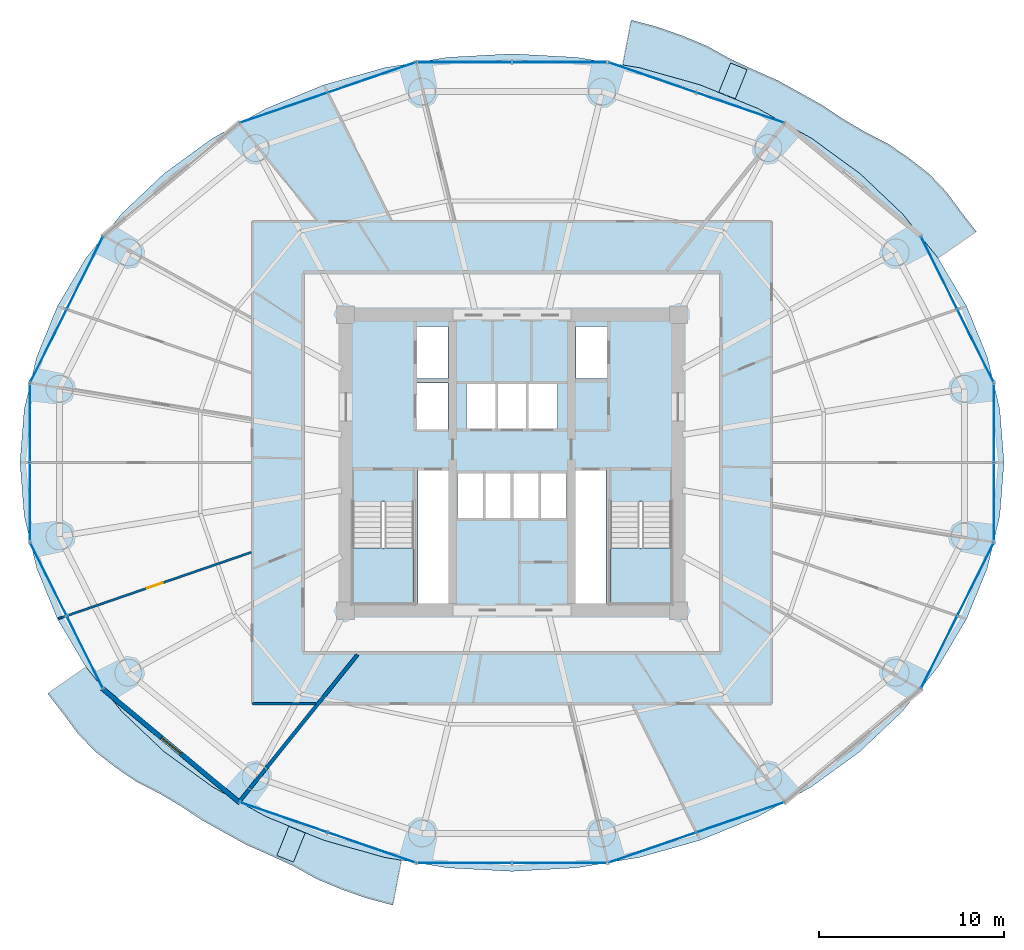
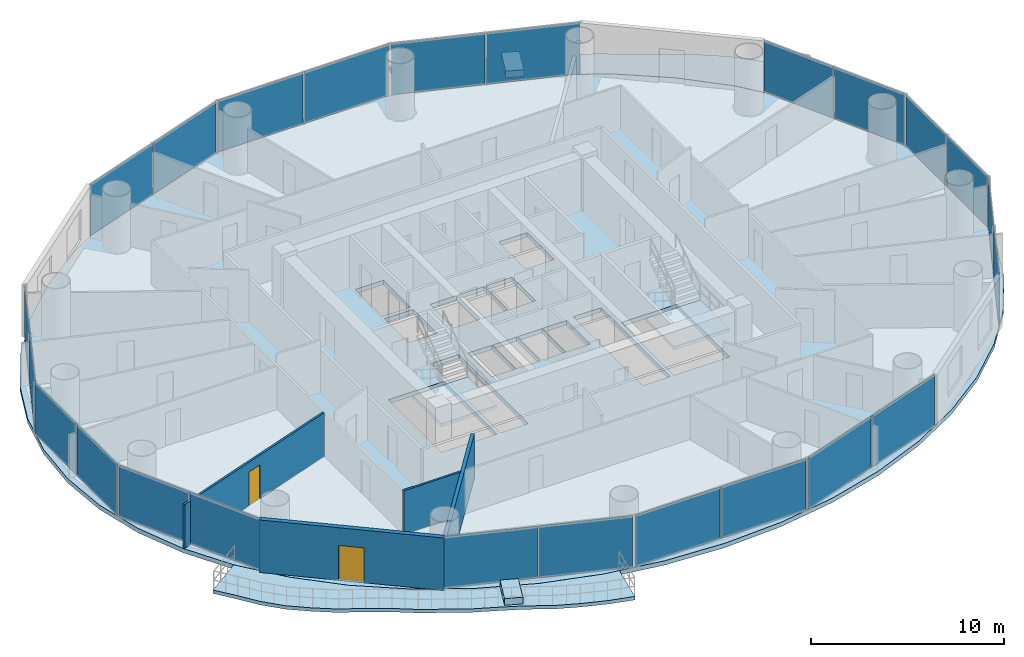
# One storey, part 21 of 29: 24 plates, 7 slabs, 4 walls, 2 doors, 2 openings, 14 elements without a shape of their own.
"""IFC4 building model written with IfcOpenShell, lengths in metres."""

from ifc_helpers import new_model, si_unit, direction, frame, frame_2d, origin, origin_2d, place, context, subcontext, project, spatial, polyline, rectangle, outline, extrude, source, transform, mapped, material, layer, layer_set, type_object, element, fill, aggregate, save


model = new_model("IFC4")

# Units and contexts
model_context = context("Model", 3, precision=1e-05, world=origin(), true_north=direction((-0.2419218956, 0.970295726276)))
body_context = subcontext(model_context, "Body", "Model", "MODEL_VIEW")
ifc_project = project(units=[si_unit("LENGTHUNIT", "METRE"), si_unit("AREAUNIT", "SQUARE_METRE"), si_unit("VOLUMEUNIT", "CUBIC_METRE"), si_unit("PLANEANGLEUNIT", "RADIAN"), si_unit("MASSUNIT", "GRAM", prefix="KILO")], contexts=[model_context])

# Site, building, storey
site_placement = place(None, origin())
site = spatial("IfcSite", under=ifc_project, at=site_placement, CompositionType="ELEMENT")
building_placement = place(site_placement, origin())
building = spatial("IfcBuilding", under=site, at=building_placement, Name="Cobrevalo Terracotta Tower", CompositionType="ELEMENT")
storey_placement = place(building_placement, frame((0.0, 0.0, 119.39990234375)))
storey = spatial("IfcBuildingStorey", under=building, at=storey_placement, Name="L31", CompositionType="ELEMENT", Elevation=119.39990234375)

# Stair, slab
ifc_material_1 = material(Name="Concrete C50", Category="concrete")
stair_type = type_object("IfcStairType", Name="Core protected escape dogleg stair 1600", PredefinedType="HALF_TURN_STAIR", material=ifc_material_1)
stair_1_placement = place(storey_placement, origin())
stair_1 = element("IfcStair", 1, at=stair_1_placement, inside=storey, type_object=stair_type, Name="L31 Protected exit stair ST-1", PredefinedType="HALF_TURN_STAIR")
ifc_layer_1 = layer(ifc_material_1, 0.199951171875)
ifc_layer_set_1 = layer_set([ifc_layer_1], Name="Concrete C50")
slab_type_1 = type_object("IfcSlabType", Name="Reinforced Concrete Stair Landing 200", PredefinedType="LANDING", material=ifc_layer_set_1)
slab_1_placement = place(storey_placement, frame((0.0, 0.0, 1.60009765625)))
slab_1 = element("IfcSlab", 2, at=slab_1_placement, type_object=slab_type_1, Name="ST-1 landing 1", PredefinedType="LANDING", context=body_context, shape_type="SweptSolid", body=[
    extrude(outline(polyline([(29.375, 22.179931640625), (29.375, 19.175048828125), (32.695068359375, 19.175048828125), (32.695068359375, 22.179931640625), (29.375, 22.179931640625)])), origin(), (0.0, 0.0, 1.0), 0.199951171875),
])
aggregate(stair_1, [slab_1])

stair_2_placement = place(storey_placement, origin())
stair_2 = element("IfcStair", 3, at=stair_2_placement, inside=storey, type_object=stair_type, Name="L31 Protected exit stair ST-2", PredefinedType="HALF_TURN_STAIR")
slab_2_placement = place(storey_placement, frame((0.0, 0.0, 1.60009765625)))
slab_2 = element("IfcSlab", 4, at=slab_2_placement, type_object=slab_type_1, Name="ST-2 landing 1", PredefinedType="LANDING", context=body_context, shape_type="SweptSolid", body=[
    extrude(outline(polyline([(43.304931640625, 22.179931640625), (43.304931640625, 19.175048828125), (46.625, 19.175048828125), (46.625, 22.179931640625), (43.304931640625, 22.179931640625)])), origin(), (0.0, 0.0, 1.0), 0.199951171875),
])
aggregate(stair_2, [slab_2])

# Slabs
ifc_material_2 = material(Name="Concrete C45", Category="concrete")
ifc_layer_2 = layer(ifc_material_2, 0.219970703125)
ifc_layer_set_2 = layer_set([ifc_layer_2], Name="Concrete C45")
slab_type_2 = type_object("IfcSlabType", Name="Spiralling cantilevered balcony lobe slab 220 mm", PredefinedType="FLOOR", material=ifc_layer_set_2)
slab_3_placement = place(storey_placement, frame((0.0, 0.0, -0.219970703125)))
element("IfcSlab", 5, at=slab_3_placement, inside=storey, type_object=slab_type_2, Name="L31 spiralling arc balcony slab lobe 1", PredefinedType="FLOOR", context=body_context, shape_type="SweptSolid", body=[
    extrude(outline(polyline([(63.112060546875, 39.28173828125), (62.2861328125, 40.3447265625), (61.484375, 41.428955078125), (60.5498046875, 42.41015625), (59.465087890625, 43.2568359375), (58.339599609375, 44.03076171875), (57.097412109375, 44.667236328125), (55.920166015625, 45.36279296875), (54.784423828125, 46.11865234375), (53.575439453125, 46.7919921875), (52.36572265625, 47.4609375), (51.0859375, 48.025634765625), (49.808349609375, 48.6162109375), (48.556640625, 49.315185546875), (47.223388671875, 49.8720703125), (45.857421875, 50.3525390625), (44.450927734375, 50.728271484375), (43.984130859375, 48.2978515625), (44.885009765625, 48.14892578125), (48.18017578125, 47.219482421875), (51.301025390625, 45.94091796875), (54.1943359375, 44.334716796875), (56.810546875, 42.428466796875), (59.104736328125, 40.2548828125), (61.0380859375, 37.85107421875), (61.0419921875, 37.84423828125), (63.112060546875, 39.28173828125)])), origin(), (0.0, 0.0, 1.0), 0.219970703125),
])
slab_4_placement = place(storey_placement, frame((0.0, 0.0, -0.219970703125)))
element("IfcSlab", 6, at=slab_4_placement, inside=storey, type_object=slab_type_2, Name="L31 spiralling arc balcony slab lobe 2", PredefinedType="FLOOR", context=body_context, shape_type="SweptSolid", body=[
    extrude(outline(polyline([(12.887939453125, 14.318359375), (13.7138671875, 13.255126953125), (14.515625, 12.171142578125), (15.4501953125, 11.189697265625), (16.534912109375, 10.343017578125), (17.660400390625, 9.5693359375), (18.902587890625, 8.932861328125), (20.079833984375, 8.2373046875), (21.215576171875, 7.4814453125), (22.424560546875, 6.80810546875), (23.63427734375, 6.13916015625), (24.9140625, 5.574462890625), (26.191650390625, 4.98388671875), (27.443359375, 4.284912109375), (28.776611328125, 3.72802734375), (30.142578125, 3.24755859375), (31.549072265625, 2.87158203125), (32.015869140625, 5.30224609375), (31.114990234375, 5.451171875), (27.81982421875, 6.38037109375), (24.698974609375, 7.6591796875), (21.8056640625, 9.265380859375), (19.189453125, 11.171630859375), (16.895263671875, 13.34521484375), (14.9619140625, 15.7490234375), (14.9580078125, 15.755859375), (12.887939453125, 14.318359375)])), origin(), (0.0, 0.0, 1.0), 0.219970703125),
])
ifc_material_3 = material(Name="Precast concrete C45", Category="concrete")
ifc_layer_3 = layer(ifc_material_3, 0.419921875)
ifc_layer_set_3 = layer_set([ifc_layer_3], Name="Precast concrete C45")
slab_type_3 = type_object("IfcSlabType", Name="Structural tree planter trough base 420 mm", PredefinedType="USERDEFINED", material=ifc_layer_set_3)
slab_5_placement = place(storey_placement, origin())
element("IfcSlab", 7, at=slab_5_placement, inside=storey, type_object=slab_type_3, Name="L31 structural tree planter trough 1", ObjectType="PLANTER", PredefinedType="USERDEFINED", context=body_context, shape_type="SweptSolid", body=[
    extrude(outline(polyline([(50.071533203125, 46.46484375), (50.70849609375, 48.041015625), (49.818603515625, 48.40087890625), (49.181396484375, 46.82470703125), (50.071533203125, 46.46484375)])), origin(), (0.0, 0.0, 1.0), 0.420166015625),
])
slab_6_placement = place(storey_placement, origin())
element("IfcSlab", 8, at=slab_6_placement, inside=storey, type_object=slab_type_3, Name="L31 structural tree planter trough 2", ObjectType="PLANTER", PredefinedType="USERDEFINED", context=body_context, shape_type="SweptSolid", body=[
    extrude(outline(polyline([(25.928466796875, 7.135009765625), (25.29150390625, 5.55908203125), (26.181396484375, 5.19921875), (26.818603515625, 6.775390625), (25.928466796875, 7.135009765625)])), origin(), (0.0, 0.0, 1.0), 0.420166015625),
])
ifc_layer_4 = layer(ifc_material_1, 0.27490234375)
ifc_layer_set_4 = layer_set([ifc_layer_4], Name="Concrete C50")
slab_type_4 = type_object("IfcSlabType", Name="Zone Z2 elliptical floor plate 275 mm", PredefinedType="FLOOR", material=ifc_layer_set_4)
slab_7_placement = place(storey_placement, frame((0.0, 0.0, -0.27490234375)))
element("IfcSlab", 9, at=slab_7_placement, inside=storey, type_object=slab_type_4, Name="L31 indoor elliptical floor slab", PredefinedType="FLOOR", context=body_context, shape_type="SweptSolid", body=[
    extrude(outline(polyline([(64.372314453125, 23.915283203125), (63.693603515625, 21.080078125), (62.5751953125, 18.3427734375), (61.036376953125, 15.75), (59.103271484375, 13.346435546875), (56.80908203125, 11.1728515625), (54.193115234375, 9.266845703125), (51.300048828125, 7.660888671875), (48.179443359375, 6.38232421875), (44.884521484375, 5.453125), (41.471923828125, 4.88916015625), (38.0, 4.699951171875), (34.528076171875, 4.88916015625), (31.115478515625, 5.453125), (27.820556640625, 6.38232421875), (24.699951171875, 7.660888671875), (21.806884765625, 9.266845703125), (19.19091796875, 11.1728515625), (16.896728515625, 13.346435546875), (14.963623046875, 15.75), (13.4248046875, 18.3427734375), (12.306396484375, 21.080078125), (11.627685546875, 23.915283203125), (11.39990234375, 26.800048828125), (11.627685546875, 29.6845703125), (12.306396484375, 32.52001953125), (13.4248046875, 35.25732421875), (14.963623046875, 37.85009765625), (16.896728515625, 40.253662109375), (19.19091796875, 42.427001953125), (21.806884765625, 44.3330078125), (24.699951171875, 45.939208984375), (27.820556640625, 47.2177734375), (31.115478515625, 48.14697265625), (34.528076171875, 48.7109375), (38.0, 48.89990234375), (41.471923828125, 48.7109375), (44.884521484375, 48.14697265625), (48.179443359375, 47.2177734375), (51.300048828125, 45.939208984375), (54.193115234375, 44.3330078125), (56.80908203125, 42.427001953125), (59.103271484375, 40.253662109375), (61.036376953125, 37.85009765625), (62.5751953125, 35.25732421875), (63.693603515625, 32.52001953125), (64.372314453125, 29.6845703125), (64.60009765625, 26.800048828125), (64.372314453125, 23.915283203125)]), holes=[polyline([(32.695068359375, 19.175048828125), (32.695068359375, 24.659912109375), (29.375, 24.659912109375), (29.375, 19.175048828125), (32.695068359375, 19.175048828125)]), polyline([(34.574951171875, 19.175048828125), (34.574951171875, 26.360107421875), (32.919921875, 26.360107421875), (32.919921875, 19.175048828125), (34.574951171875, 19.175048828125)]), polyline([(36.47998046875, 23.800048828125), (36.47998046875, 26.25), (35.050048828125, 26.25), (35.050048828125, 23.800048828125), (36.47998046875, 23.800048828125)]), polyline([(37.9599609375, 23.800048828125), (37.9599609375, 26.25), (36.530029296875, 26.25), (36.530029296875, 23.800048828125), (37.9599609375, 23.800048828125)]), polyline([(37.1201171875, 28.60009765625), (37.1201171875, 31.050048828125), (35.550048828125, 31.050048828125), (35.550048828125, 28.60009765625), (37.1201171875, 28.60009765625)]), polyline([(34.550048828125, 28.60009765625), (34.550048828125, 31.10009765625), (32.85009765625, 31.10009765625), (32.85009765625, 28.60009765625), (34.550048828125, 28.60009765625)]), polyline([(34.550048828125, 31.35009765625), (34.550048828125, 34.14990234375), (32.85009765625, 34.14990234375), (32.85009765625, 31.35009765625), (34.550048828125, 31.35009765625)]), polyline([(46.625, 19.175048828125), (46.625, 24.659912109375), (43.304931640625, 24.659912109375), (43.304931640625, 19.175048828125), (46.625, 19.175048828125)]), polyline([(43.080078125, 19.175048828125), (43.080078125, 26.360107421875), (41.425048828125, 26.360107421875), (41.425048828125, 19.175048828125), (43.080078125, 19.175048828125)]), polyline([(39.469970703125, 23.800048828125), (39.469970703125, 26.25), (38.0400390625, 26.25), (38.0400390625, 23.800048828125), (39.469970703125, 23.800048828125)]), polyline([(40.949951171875, 23.800048828125), (40.949951171875, 26.25), (39.52001953125, 26.25), (39.52001953125, 23.800048828125), (40.949951171875, 23.800048828125)]), polyline([(38.780029296875, 28.60009765625), (38.780029296875, 31.050048828125), (37.219970703125, 31.050048828125), (37.219970703125, 28.60009765625), (38.780029296875, 28.60009765625)]), polyline([(40.449951171875, 28.60009765625), (40.449951171875, 31.050048828125), (38.8798828125, 31.050048828125), (38.8798828125, 28.60009765625), (40.449951171875, 28.60009765625)]), polyline([(43.14990234375, 31.35009765625), (43.14990234375, 34.14990234375), (41.449951171875, 34.14990234375), (41.449951171875, 31.35009765625), (43.14990234375, 31.35009765625)])]), origin(), (0.0, 0.0, 1.0), 0.27490234375),
])

# Curtain wall, plates
ifc_material_4 = material(Name="Anodized aluminium", Category="aluminium")
curtain_wall_type = type_object("IfcCurtainWallType", Name="Lower-tower unitised acoustic low-E curtain wall CW-U1", PredefinedType="NOTDEFINED", material=ifc_material_4)
curtain_wall_1_placement = place(storey_placement, origin())
curtain_wall_1 = element("IfcCurtainWall", 10, at=curtain_wall_1_placement, inside=storey, type_object=curtain_wall_type, Name="L31 curtain wall CW-L31-S03", PredefinedType="NOTDEFINED")
ifc_material_5 = material(Name="Solar-control low-E double glazing", Category="glass")
ifc_layer_5 = layer(ifc_material_5, 0.028076171875)
ifc_layer_set_5 = layer_set([ifc_layer_5], Name="Solar-control low-E double glazing")
plate_type = type_object("IfcPlateType", Name="Tower solar-control low-E vision glass panel 28 mm", PredefinedType="CURTAIN_PANEL", material=ifc_layer_set_5)
shared_shape_1 = source(origin(), body_context, "Body", "SweptSolid", [
    extrude(rectangle(XDim=4.944580078125, YDim=0.035888671875, at=origin_2d()), origin(), (0.0, 0.0, 1.0), 3.2451171875),
])
plate_1_placement = place(storey_placement, frame((50.34814453125, 45.98095703125, 0.0400390625), z_axis=(0.0, 0.0, 1.0), x_axis=(-0.945596395206, 0.325342062104, 0.0)))
plate_1 = element("IfcPlate", 11, at=plate_1_placement, type_object=plate_type, Name="CW-L31-S03 glazing panel B01", PredefinedType="CURTAIN_PANEL", context=body_context, shape_type="MappedRepresentation", body=[
    mapped(shared_shape_1, transform((0.0, 0.0, 0.0), scale=1.0)),
])
plate_2_placement = place(storey_placement, frame((45.596923828125, 47.615478515625, 0.0400390625), z_axis=(0.0, 0.0, 1.0), x_axis=(-0.945596395206, 0.325342062104, 0.0)))
plate_2 = element("IfcPlate", 12, at=plate_2_placement, type_object=plate_type, Name="CW-L31-S03 glazing panel B02", PredefinedType="CURTAIN_PANEL", context=body_context, shape_type="MappedRepresentation", body=[
    mapped(shared_shape_1, transform((0.0, 0.0, 0.0), scale=1.0)),
])
aggregate(curtain_wall_1, [plate_1, plate_2])

curtain_wall_2_placement = place(storey_placement, origin())
curtain_wall_2 = element("IfcCurtainWall", 13, at=curtain_wall_2_placement, inside=storey, type_object=curtain_wall_type, Name="L31 curtain wall CW-L31-S05", PredefinedType="NOTDEFINED")
plate_3_placement = place(storey_placement, frame((30.403076171875, 47.615478515625, 0.0400390625), z_axis=(0.0, 0.0, 1.0), x_axis=(-0.945596395206, -0.325342062104, 0.0)))
plate_3 = element("IfcPlate", 14, at=plate_3_placement, type_object=plate_type, Name="CW-L31-S05 glazing panel B01", PredefinedType="CURTAIN_PANEL", context=body_context, shape_type="MappedRepresentation", body=[
    mapped(shared_shape_1, transform((0.0, 0.0, 0.0), scale=1.0)),
])
plate_4_placement = place(storey_placement, frame((25.65185546875, 45.98095703125, 0.0400390625), z_axis=(0.0, 0.0, 1.0), x_axis=(-0.945596395206, -0.325342062104, 0.0)))
plate_4 = element("IfcPlate", 15, at=plate_4_placement, type_object=plate_type, Name="CW-L31-S05 glazing panel B02", PredefinedType="CURTAIN_PANEL", context=body_context, shape_type="MappedRepresentation", body=[
    mapped(shared_shape_1, transform((0.0, 0.0, 0.0), scale=1.0)),
])
aggregate(curtain_wall_2, [plate_3, plate_4])

curtain_wall_3_placement = place(storey_placement, origin())
curtain_wall_3 = element("IfcCurtainWall", 16, at=curtain_wall_3_placement, inside=storey, type_object=curtain_wall_type, Name="L31 curtain wall CW-L31-S11", PredefinedType="NOTDEFINED")
plate_5_placement = place(storey_placement, frame((25.65185546875, 7.619140625, 0.0400390625), z_axis=(0.0, 0.0, 1.0), x_axis=(0.945596395206, -0.325342062104, 0.0)))
plate_5 = element("IfcPlate", 17, at=plate_5_placement, type_object=plate_type, Name="CW-L31-S11 glazing panel B01", PredefinedType="CURTAIN_PANEL", context=body_context, shape_type="MappedRepresentation", body=[
    mapped(shared_shape_1, transform((0.0, 0.0, 0.0), scale=1.0)),
])
plate_6_placement = place(storey_placement, frame((30.403076171875, 5.984375, 0.0400390625), z_axis=(0.0, 0.0, 1.0), x_axis=(0.945596395206, -0.325342062104, 0.0)))
plate_6 = element("IfcPlate", 18, at=plate_6_placement, type_object=plate_type, Name="CW-L31-S11 glazing panel B02", PredefinedType="CURTAIN_PANEL", context=body_context, shape_type="MappedRepresentation", body=[
    mapped(shared_shape_1, transform((0.0, 0.0, 0.0), scale=1.0)),
])
aggregate(curtain_wall_3, [plate_5, plate_6])

curtain_wall_4_placement = place(storey_placement, origin())
curtain_wall_4 = element("IfcCurtainWall", 19, at=curtain_wall_4_placement, inside=storey, type_object=curtain_wall_type, Name="L31 curtain wall CW-L31-S13", PredefinedType="NOTDEFINED")
plate_7_placement = place(storey_placement, frame((45.596923828125, 5.984375, 0.0400390625), z_axis=(0.0, 0.0, 1.0), x_axis=(0.945596395206, 0.325342062104, 0.0)))
plate_7 = element("IfcPlate", 20, at=plate_7_placement, type_object=plate_type, Name="CW-L31-S13 glazing panel B01", PredefinedType="CURTAIN_PANEL", context=body_context, shape_type="MappedRepresentation", body=[
    mapped(shared_shape_1, transform((0.0, 0.0, 0.0), scale=1.0)),
])
plate_8_placement = place(storey_placement, frame((50.34814453125, 7.619140625, 0.0400390625), z_axis=(0.0, 0.0, 1.0), x_axis=(0.945596395206, 0.325342062104, 0.0)))
plate_8 = element("IfcPlate", 21, at=plate_8_placement, type_object=plate_type, Name="CW-L31-S13 glazing panel B02", PredefinedType="CURTAIN_PANEL", context=body_context, shape_type="MappedRepresentation", body=[
    mapped(shared_shape_1, transform((0.0, 0.0, 0.0), scale=1.0)),
])
aggregate(curtain_wall_4, [plate_7, plate_8])

curtain_wall_5_placement = place(storey_placement, origin())
curtain_wall_5 = element("IfcCurtainWall", 22, at=curtain_wall_5_placement, inside=storey, type_object=curtain_wall_type, Name="L31 curtain wall CW-L31-S04", PredefinedType="NOTDEFINED")
shared_shape_2 = source(origin(), body_context, "Body", "SweptSolid", [
    extrude(rectangle(XDim=5.0634765625, YDim=0.035888671875, at=origin_2d()), origin(), (0.0, 0.0, 1.0), 3.2451171875),
])
plate_9_placement = place(storey_placement, frame((40.57177734375, 48.446044921875, 0.0400390625), z_axis=(0.0, 0.0, 1.0), x_axis=(-1.0, 0.0, 0.0)))
plate_9 = element("IfcPlate", 23, at=plate_9_placement, type_object=plate_type, Name="CW-L31-S04 glazing panel B01", PredefinedType="CURTAIN_PANEL", context=body_context, shape_type="MappedRepresentation", body=[
    mapped(shared_shape_2, transform((0.0, 0.0, 0.0), scale=1.0)),
])
plate_10_placement = place(storey_placement, frame((35.42822265625, 48.446044921875, 0.0400390625), z_axis=(0.0, 0.0, 1.0), x_axis=(-1.0, 0.0, 0.0)))
plate_10 = element("IfcPlate", 24, at=plate_10_placement, type_object=plate_type, Name="CW-L31-S04 glazing panel B02", PredefinedType="CURTAIN_PANEL", context=body_context, shape_type="MappedRepresentation", body=[
    mapped(shared_shape_2, transform((0.0, 0.0, 0.0), scale=1.0)),
])
aggregate(curtain_wall_5, [plate_9, plate_10])

curtain_wall_6_placement = place(storey_placement, origin())
curtain_wall_6 = element("IfcCurtainWall", 25, at=curtain_wall_6_placement, inside=storey, type_object=curtain_wall_type, Name="L31 curtain wall CW-L31-S12", PredefinedType="NOTDEFINED")
plate_11_placement = place(storey_placement, frame((35.42822265625, 5.154052734375, 0.0400390625), z_axis=(0.0, 0.0, 1.0), x_axis=(1.0, 0.0, 0.0)))
plate_11 = element("IfcPlate", 26, at=plate_11_placement, type_object=plate_type, Name="CW-L31-S12 glazing panel B01", PredefinedType="CURTAIN_PANEL", context=body_context, shape_type="MappedRepresentation", body=[
    mapped(shared_shape_2, transform((0.0, 0.0, 0.0), scale=1.0)),
])
plate_12_placement = place(storey_placement, frame((40.57177734375, 5.154052734375, 0.0400390625), z_axis=(0.0, 0.0, 1.0), x_axis=(1.0, 0.0, 0.0)))
plate_12 = element("IfcPlate", 27, at=plate_12_placement, type_object=plate_type, Name="CW-L31-S12 glazing panel B02", PredefinedType="CURTAIN_PANEL", context=body_context, shape_type="MappedRepresentation", body=[
    mapped(shared_shape_2, transform((0.0, 0.0, 0.0), scale=1.0)),
])
aggregate(curtain_wall_6, [plate_11, plate_12])

curtain_wall_7_placement = place(storey_placement, origin())
curtain_wall_7 = element("IfcCurtainWall", 28, at=curtain_wall_7_placement, inside=storey, type_object=curtain_wall_type, Name="L31 curtain wall CW-L31-S01", PredefinedType="NOTDEFINED")
shared_shape_3 = source(origin(), body_context, "Body", "SweptSolid", [
    extrude(rectangle(XDim=4.3251953125, YDim=0.035888671875, at=origin_2d()), origin(), (0.0, 0.0, 1.0), 3.2451171875),
])
plate_13_placement = place(storey_placement, frame((63.05859375, 33.112548828125, 0.0400390625), z_axis=(0.0, 0.0, 1.0), x_axis=(-0.446261852127, 0.894902430065, 0.0)))
plate_13 = element("IfcPlate", 29, at=plate_13_placement, type_object=plate_type, Name="CW-L31-S01 glazing panel B01", PredefinedType="CURTAIN_PANEL", context=body_context, shape_type="MappedRepresentation", body=[
    mapped(shared_shape_3, transform((0.0, 0.0, 0.0), scale=1.0)),
])
plate_14_placement = place(storey_placement, frame((61.093017578125, 37.0546875, 0.0400390625), z_axis=(0.0, 0.0, 1.0), x_axis=(-0.446261852127, 0.894902430065, 0.0)))
plate_14 = element("IfcPlate", 30, at=plate_14_placement, type_object=plate_type, Name="CW-L31-S01 glazing panel B02", PredefinedType="CURTAIN_PANEL", context=body_context, shape_type="MappedRepresentation", body=[
    mapped(shared_shape_3, transform((0.0, 0.0, 0.0), scale=1.0)),
])
aggregate(curtain_wall_7, [plate_13, plate_14])

curtain_wall_8_placement = place(storey_placement, origin())
curtain_wall_8 = element("IfcCurtainWall", 31, at=curtain_wall_8_placement, inside=storey, type_object=curtain_wall_type, Name="L31 curtain wall CW-L31-S07", PredefinedType="NOTDEFINED")
plate_15_placement = place(storey_placement, frame((14.906982421875, 37.0546875, 0.0400390625), z_axis=(0.0, 0.0, 1.0), x_axis=(-0.446261852127, -0.894902430065, 0.0)))
plate_15 = element("IfcPlate", 32, at=plate_15_placement, type_object=plate_type, Name="CW-L31-S07 glazing panel B01", PredefinedType="CURTAIN_PANEL", context=body_context, shape_type="MappedRepresentation", body=[
    mapped(shared_shape_3, transform((0.0, 0.0, 0.0), scale=1.0)),
])
plate_16_placement = place(storey_placement, frame((12.94140625, 33.112548828125, 0.0400390625), z_axis=(0.0, 0.0, 1.0), x_axis=(-0.446261852127, -0.894902430065, 0.0)))
plate_16 = element("IfcPlate", 33, at=plate_16_placement, type_object=plate_type, Name="CW-L31-S07 glazing panel B02", PredefinedType="CURTAIN_PANEL", context=body_context, shape_type="MappedRepresentation", body=[
    mapped(shared_shape_3, transform((0.0, 0.0, 0.0), scale=1.0)),
])
aggregate(curtain_wall_8, [plate_15, plate_16])

curtain_wall_9_placement = place(storey_placement, origin())
curtain_wall_9 = element("IfcCurtainWall", 34, at=curtain_wall_9_placement, inside=storey, type_object=curtain_wall_type, Name="L31 curtain wall CW-L31-S09", PredefinedType="NOTDEFINED")
plate_17_placement = place(storey_placement, frame((12.94140625, 20.487548828125, 0.0400390625), z_axis=(0.0, 0.0, 1.0), x_axis=(0.446261852127, -0.894902430065, 0.0)))
plate_17 = element("IfcPlate", 35, at=plate_17_placement, type_object=plate_type, Name="CW-L31-S09 glazing panel B01", PredefinedType="CURTAIN_PANEL", context=body_context, shape_type="MappedRepresentation", body=[
    mapped(shared_shape_3, transform((0.0, 0.0, 0.0), scale=1.0)),
])
plate_18_placement = place(storey_placement, frame((14.906982421875, 16.54541015625, 0.0400390625), z_axis=(0.0, 0.0, 1.0), x_axis=(0.446261852127, -0.894902430065, 0.0)))
plate_18 = element("IfcPlate", 36, at=plate_18_placement, type_object=plate_type, Name="CW-L31-S09 glazing panel B02", PredefinedType="CURTAIN_PANEL", context=body_context, shape_type="MappedRepresentation", body=[
    mapped(shared_shape_3, transform((0.0, 0.0, 0.0), scale=1.0)),
])
aggregate(curtain_wall_9, [plate_17, plate_18])

curtain_wall_10_placement = place(storey_placement, origin())
curtain_wall_10 = element("IfcCurtainWall", 37, at=curtain_wall_10_placement, inside=storey, type_object=curtain_wall_type, Name="L31 curtain wall CW-L31-S15", PredefinedType="NOTDEFINED")
plate_19_placement = place(storey_placement, frame((61.093017578125, 16.54541015625, 0.0400390625), z_axis=(0.0, 0.0, 1.0), x_axis=(0.446261852127, 0.894902430065, 0.0)))
plate_19 = element("IfcPlate", 38, at=plate_19_placement, type_object=plate_type, Name="CW-L31-S15 glazing panel B01", PredefinedType="CURTAIN_PANEL", context=body_context, shape_type="MappedRepresentation", body=[
    mapped(shared_shape_3, transform((0.0, 0.0, 0.0), scale=1.0)),
])
plate_20_placement = place(storey_placement, frame((63.05859375, 20.487548828125, 0.0400390625), z_axis=(0.0, 0.0, 1.0), x_axis=(0.446261852127, 0.894902430065, 0.0)))
plate_20 = element("IfcPlate", 39, at=plate_20_placement, type_object=plate_type, Name="CW-L31-S15 glazing panel B02", PredefinedType="CURTAIN_PANEL", context=body_context, shape_type="MappedRepresentation", body=[
    mapped(shared_shape_3, transform((0.0, 0.0, 0.0), scale=1.0)),
])
aggregate(curtain_wall_10, [plate_19, plate_20])

curtain_wall_11_placement = place(storey_placement, origin())
curtain_wall_11 = element("IfcCurtainWall", 40, at=curtain_wall_11_placement, inside=storey, type_object=curtain_wall_type, Name="L31 curtain wall CW-L31-S08", PredefinedType="NOTDEFINED")
shared_shape_4 = source(origin(), body_context, "Body", "SweptSolid", [
    extrude(rectangle(XDim=4.185546875, YDim=0.035888671875, at=origin_2d()), origin(), (0.0, 0.0, 1.0), 3.2451171875),
])
plate_21_placement = place(storey_placement, frame((11.9404296875, 28.932861328125, 0.0400390625), z_axis=(0.0, 0.0, 1.0), x_axis=(0.0, -1.0, 0.0)))
plate_21 = element("IfcPlate", 41, at=plate_21_placement, type_object=plate_type, Name="CW-L31-S08 glazing panel B01", PredefinedType="CURTAIN_PANEL", context=body_context, shape_type="MappedRepresentation", body=[
    mapped(shared_shape_4, transform((0.0, 0.0, 0.0), scale=1.0)),
])
plate_22_placement = place(storey_placement, frame((11.9404296875, 24.667236328125, 0.0400390625), z_axis=(0.0, 0.0, 1.0), x_axis=(0.0, -1.0, 0.0)))
plate_22 = element("IfcPlate", 42, at=plate_22_placement, type_object=plate_type, Name="CW-L31-S08 glazing panel B02", PredefinedType="CURTAIN_PANEL", context=body_context, shape_type="MappedRepresentation", body=[
    mapped(shared_shape_4, transform((0.0, 0.0, 0.0), scale=1.0)),
])
aggregate(curtain_wall_11, [plate_21, plate_22])

curtain_wall_12_placement = place(storey_placement, origin())
curtain_wall_12 = element("IfcCurtainWall", 43, at=curtain_wall_12_placement, inside=storey, type_object=curtain_wall_type, Name="L31 curtain wall CW-L31-S16", PredefinedType="NOTDEFINED")
plate_23_placement = place(storey_placement, frame((64.0595703125, 24.667236328125, 0.0400390625), z_axis=(0.0, 0.0, 1.0), x_axis=(0.0, 1.0, 0.0)))
plate_23 = element("IfcPlate", 44, at=plate_23_placement, type_object=plate_type, Name="CW-L31-S16 glazing panel B01", PredefinedType="CURTAIN_PANEL", context=body_context, shape_type="MappedRepresentation", body=[
    mapped(shared_shape_4, transform((0.0, 0.0, 0.0), scale=1.0)),
])
plate_24_placement = place(storey_placement, frame((64.0595703125, 28.932861328125, 0.0400390625), z_axis=(0.0, 0.0, 1.0), x_axis=(0.0, 1.0, 0.0)))
plate_24 = element("IfcPlate", 45, at=plate_24_placement, type_object=plate_type, Name="CW-L31-S16 glazing panel B02", PredefinedType="CURTAIN_PANEL", context=body_context, shape_type="MappedRepresentation", body=[
    mapped(shared_shape_4, transform((0.0, 0.0, 0.0), scale=1.0)),
])
aggregate(curtain_wall_12, [plate_23, plate_24])

# Wall
ifc_material_6 = material(Name="Autoclaved aerated concrete block", Category="concrete")
ifc_layer_6 = layer(ifc_material_6, 0.199951171875)
ifc_layer_set_6 = layer_set([ifc_layer_6], Name="Autoclaved aerated concrete block")
wall_type_1 = type_object("IfcWallType", Name="Fire-rated stair, shaft & demising masonry wall 200 mm", PredefinedType="PARTITIONING", material=ifc_layer_set_6)
wall_1_placement = place(storey_placement, frame((29.64794921875, 16.4150390625, 0.0), z_axis=(0.0, 0.0, 1.0), x_axis=(-0.626701127389, -0.779259710834, 0.0)))
element("IfcWall", 46, at=wall_1_placement, inside=storey, type_object=wall_type_1, Name="L31 interior partition IW-L31-DEM-2", PredefinedType="PARTITIONING", context=body_context, shape_type="SweptSolid", body=[
    extrude(rectangle(XDim=10.14111328125, YDim=0.199951171875, at=frame_2d((5.070556640625, 0.0))), origin(), (0.0, 0.0, 1.0), 2.76708984375),
])

# Wall, opening, door
ifc_layer_7 = layer(ifc_material_6, 0.260009765625)
ifc_layer_set_7 = layer_set([ifc_layer_7], Name="Autoclaved aerated concrete block")
wall_type_2 = type_object("IfcWallType", Name="Recessed balcony loggia insulated exterior wall 260 mm", PredefinedType="SOLIDWALL", material=ifc_layer_set_7)
wall_2_placement = place(storey_placement, frame((15.84619140625, 14.589599609375, 0.0), z_axis=(0.0, 0.0, 1.0), x_axis=(0.769254958887, -0.638941944333, 0.0)))
wall_2 = element("IfcWall", 47, at=wall_2_placement, inside=storey, type_object=wall_type_2, Name="L31 balcony loggia wall S10", PredefinedType="SOLIDWALL", context=body_context, shape_type="SweptSolid", body=[
    extrude(rectangle(XDim=9.689697265625, YDim=0.260009765625, at=frame_2d((4.8447265625, 0.0))), origin(), (0.0, 0.0, 1.0), 3.3251953125),
])
opening_1_placement = place(wall_2_placement, frame((4.169921875, 0.0, 0.0)))
opening_1 = element("IfcOpeningElement", 48, at=opening_1_placement, cuts=wall_2, Name="Opening ED-05", PredefinedType="OPENING", context=body_context, shape_type="SweptSolid", body=[
    extrude(rectangle(XDim=1.35009765625, YDim=2.199951171875, at=frame_2d((0.675048828125, 1.10009765625))), frame((0.0, 0.14013671875, 0.0), z_axis=(0.0, -1.0, 0.0), x_axis=(1.0, 0.0, 0.0)), (0.0, 0.0, 1.0), 0.280029296875),
])
ifc_material_7 = material(Name="Anodized aluminium and laminated glass", Category="aluminium")
door_type_1 = type_object("IfcDoorType", Name="Suite balcony acoustic glazed terrace door 1350x2200", OperationType="NOTDEFINED", PredefinedType="DOOR", material=ifc_material_7)
shared_shape_5 = source(origin(), body_context, "Body", "SweptSolid", [
    extrude(rectangle(XDim=1.35009765625, YDim=2.199951171875, at=frame_2d((0.675048828125, 1.10009765625))), frame((0.0, 0.02490234375, 0.0), z_axis=(0.0, -1.0, 0.0), x_axis=(1.0, 0.0, 0.0)), (0.0, 0.0, 1.0), 0.050048828125),
])
door_1_placement = place(opening_1_placement, frame((1.35009765625, 0.0, 0.0), z_axis=(0.0, 0.0, 1.0), x_axis=(-1.0, 0.0, 0.0)))
door_1 = element("IfcDoor", 49, at=door_1_placement, inside=storey, type_object=door_type_1, Name="L31 glazed balcony terrace door 2", OperationType="SINGLE_SWING_RIGHT", OverallHeight=2.199951171875, OverallWidth=1.35009765625, PredefinedType="DOOR", context=body_context, shape_type="MappedRepresentation", body=[
    mapped(shared_shape_5, transform((0.0, 0.0, 0.0), scale=1.0)),
])
fill(opening_1, door_1)

# Wall
ifc_material_8 = material(Name="Gypsum board on steel stud", Category="steel")
ifc_layer_8 = layer(ifc_material_8, 0.1201171875)
ifc_layer_set_8 = layer_set([ifc_layer_8], Name="Gypsum board on steel stud")
wall_type_3 = type_object("IfcWallType", Name="Residential internal acoustic stud partition 120 mm", PredefinedType="PARTITIONING", material=ifc_layer_set_8)
wall_3_placement = place(storey_placement, frame((27.414794921875, 13.764892578125, 0.0), z_axis=(0.0, 0.0, 1.0), x_axis=(-1.0, 0.0, 0.0)))
element("IfcWall", 50, at=wall_3_placement, inside=storey, type_object=wall_type_3, Name="L31 interior partition IW-L31-U1-RING0_0", PredefinedType="PARTITIONING", context=body_context, shape_type="SweptSolid", body=[
    extrude(rectangle(XDim=3.44970703125, YDim=0.1201171875, at=frame_2d((1.724853515625, 0.0))), origin(), (0.0, 0.0, 1.0), 2.76708984375),
])

# Wall, opening, door
wall_4_placement = place(storey_placement, frame((23.90625, 21.94970703125, 0.0), z_axis=(0.0, 0.0, 1.0), x_axis=(-0.945573120726, -0.32540970078, 0.0)))
wall_4 = element("IfcWall", 51, at=wall_4_placement, inside=storey, type_object=wall_type_3, Name="L31 interior partition IW-L31-U1-ORAD5", PredefinedType="PARTITIONING", context=body_context, shape_type="SweptSolid", body=[
    extrude(rectangle(XDim=11.02197265625, YDim=0.1201171875, at=frame_2d((5.510986328125, 0.0))), origin(), (0.0, 0.0, 1.0), 2.76708984375),
])
opening_2_placement = place(wall_4_placement, frame((5.06103515625, 0.0, 0.0)))
opening_2 = element("IfcOpeningElement", 52, at=opening_2_placement, cuts=wall_4, Name="Opening ID-12", PredefinedType="OPENING", context=body_context, shape_type="SweptSolid", body=[
    extrude(rectangle(XDim=0.89990234375, YDim=2.14990234375, at=frame_2d((0.449951171875, 1.074951171875))), frame((0.0, 0.070068359375, 0.0), z_axis=(0.0, -1.0, 0.0), x_axis=(1.0, 0.0, 0.0)), (0.0, 0.0, 1.0), 0.14013671875),
])
ifc_material_9 = material(Name="Engineered timber", Category="wood")
door_type_2 = type_object("IfcDoorType", Name="Internal residence & suite timber door 900x2150", OperationType="NOTDEFINED", PredefinedType="DOOR", material=ifc_material_9)
shared_shape_6 = source(origin(), body_context, "Body", "SweptSolid", [
    extrude(rectangle(XDim=0.89990234375, YDim=2.14990234375, at=frame_2d((0.449951171875, 1.074951171875))), frame((0.0, 0.02490234375, 0.0), z_axis=(0.0, -1.0, 0.0), x_axis=(1.0, 0.0, 0.0)), (0.0, 0.0, 1.0), 0.050048828125),
])
door_2_placement = place(opening_2_placement, frame((0.89990234375, 0.0, 0.0), z_axis=(0.0, 0.0, 1.0), x_axis=(-1.0, 0.0, 0.0)))
door_2 = element("IfcDoor", 53, at=door_2_placement, inside=storey, type_object=door_type_2, Name="Flat L31A Penthouse Family Lounge internal door", OperationType="SINGLE_SWING_RIGHT", OverallHeight=2.14990234375, OverallWidth=0.89990234375, PredefinedType="DOOR", context=body_context, shape_type="MappedRepresentation", body=[
    mapped(shared_shape_6, transform((0.0, 0.0, 0.0), scale=1.0)),
])
fill(opening_2, door_2)

save(model, "model.ifc")
